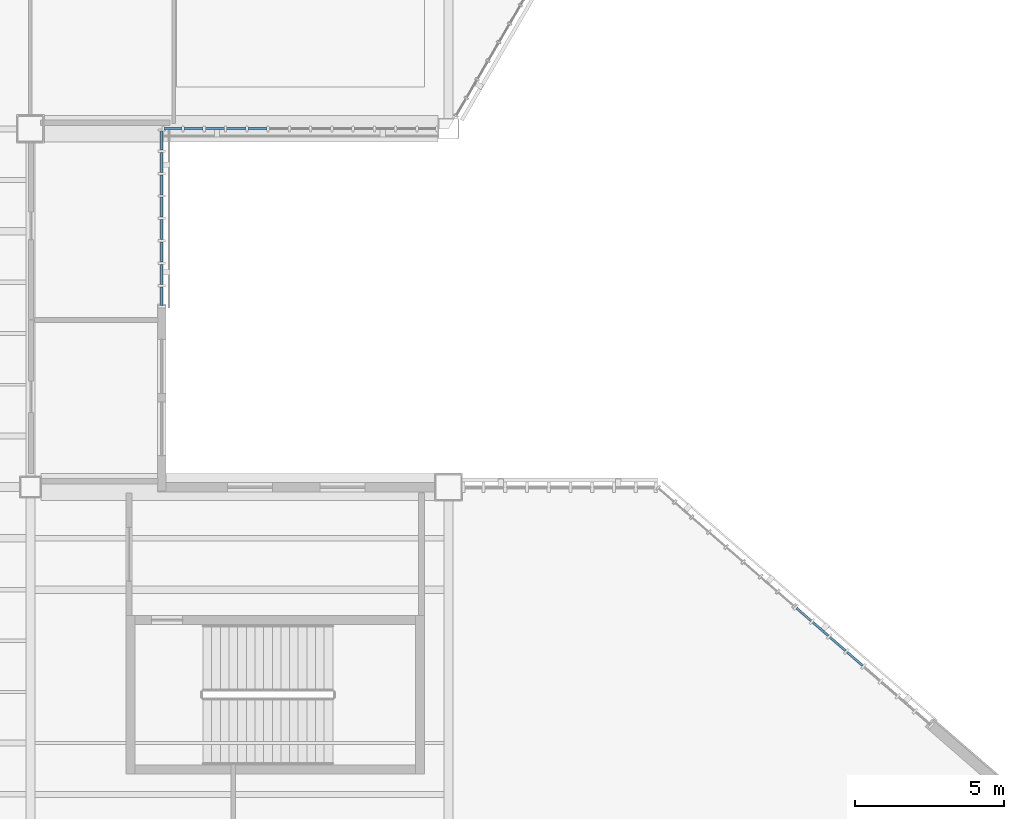
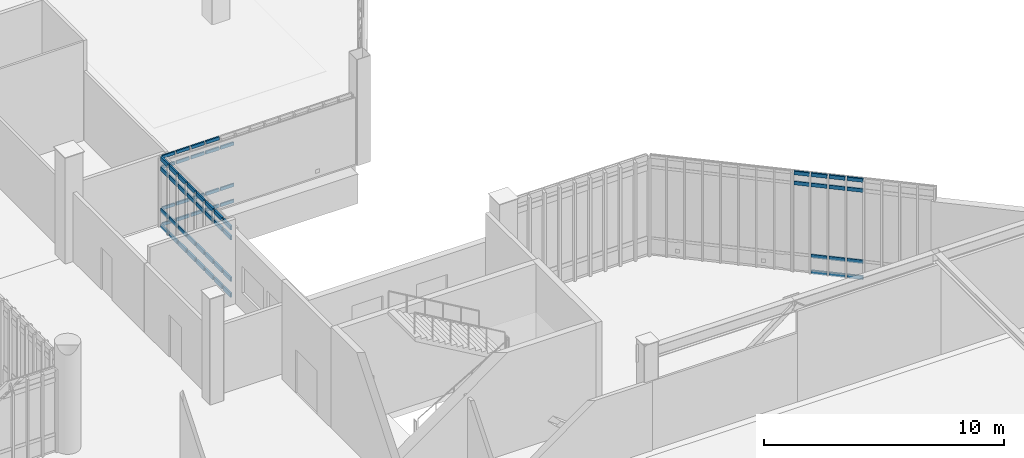
# One storey, part 65 of 135: 65 members, 3 elements without a shape of their own.
"""IFC4 building model written with IfcOpenShell, lengths in metres."""

from ifc_helpers import new_model, si_unit, direction, frame, origin, origin_2d, place, context, subcontext, project, spatial, rectangle, extrude, material, material_profile, profile_set, type_object, element, aggregate, save


model = new_model("IFC4")

# Units and contexts
model_context = context("Model", 3, precision=1e-05, world=origin(), true_north=direction((0.0, 1.0)))
body_context = subcontext(model_context, "Body", "Model", "MODEL_VIEW")
ifc_project = project(units=[si_unit("LENGTHUNIT", "METRE"), si_unit("AREAUNIT", "SQUARE_METRE"), si_unit("VOLUMEUNIT", "CUBIC_METRE"), si_unit("PLANEANGLEUNIT", "RADIAN"), si_unit("MASSUNIT", "GRAM", prefix="KILO")], contexts=[model_context])

# Site, building, storey
site_placement = place(None, origin())
site = spatial("IfcSite", under=ifc_project, at=site_placement, CompositionType="ELEMENT")
building_placement = place(site_placement, origin())
building = spatial("IfcBuilding", under=site, at=building_placement, Name="Larkvane Passage Sports Hall", CompositionType="ELEMENT")
storey_placement = place(building_placement, frame((0.0, 0.0, 16.800048828125)))
storey = spatial("IfcBuildingStorey", under=building, at=storey_placement, Name="L03", CompositionType="ELEMENT", Elevation=16.800048828125)

# Curtain wall, members
ifc_material_1 = material(Name="Thermally broken aluminium and low-E glazing", Category="aluminium")
curtain_wall_type_1 = type_object("IfcCurtainWallType", Name="CW-UNIT-VEIL", PredefinedType="USERDEFINED", material=ifc_material_1)
curtain_wall_1_placement = place(storey_placement, origin())
curtain_wall_1 = element("IfcCurtainWall", 1, at=curtain_wall_1_placement, inside=storey, type_object=curtain_wall_type_1, Name="Curtain wall CW5-L03-109", ObjectType="UNITISED CURTAIN WALL", PredefinedType="USERDEFINED")
ifc_material_2 = material(Name="Anodised aluminium 6063-T6", Category="aluminium")
ifc_material_profile_1 = material_profile(ifc_material_2, rectangle(XDim=0.070068359375, YDim=0.159912109375, at=origin_2d()), Name="ALU-TRN-70x160")
ifc_profile_set_1 = profile_set([ifc_material_profile_1], Name="Anodised aluminium 6063-T6")
member_type_1 = type_object("IfcMemberType", Name="CW-TRN-70x160", PredefinedType="USERDEFINED", material=ifc_profile_set_1)
member_1_placement = place(storey_placement, frame((139.524169921875, 63.60009765625, 0.034912109375), z_axis=(-1.0, 0.0, 0.0), x_axis=(0.0, -1.0, 0.0)))
member_1 = element("IfcMember", 2, at=member_1_placement, type_object=member_type_1, Name="CW-02 transom 9.1", ObjectType="TRANSOM", PredefinedType="USERDEFINED", context=body_context, shape_type="SweptSolid", body=[
    extrude(rectangle(XDim=0.070068359375, YDim=0.159912109375, at=origin_2d()), origin(), (0.0, 0.0, 1.0), 0.641845703125),
])
member_2_placement = place(storey_placement, frame((139.524169921875, 63.60009765625, 0.849853515625), z_axis=(-1.0, 0.0, 0.0), x_axis=(0.0, -1.0, 0.0)))
member_2 = element("IfcMember", 3, at=member_2_placement, type_object=member_type_1, Name="CW-02 transom 9.2", ObjectType="TRANSOM", PredefinedType="USERDEFINED", context=body_context, shape_type="SweptSolid", body=[
    extrude(rectangle(XDim=0.070068359375, YDim=0.159912109375, at=origin_2d()), origin(), (0.0, 0.0, 1.0), 0.641845703125),
])
member_3_placement = place(storey_placement, frame((139.524169921875, 63.60009765625, 2.9580078125), z_axis=(-1.0, 0.0, 0.0), x_axis=(0.0, -1.0, 0.0)))
member_3 = element("IfcMember", 4, at=member_3_placement, type_object=member_type_1, Name="CW-02 transom 9.3", ObjectType="TRANSOM", PredefinedType="USERDEFINED", context=body_context, shape_type="SweptSolid", body=[
    extrude(rectangle(XDim=0.070068359375, YDim=0.159912109375, at=origin_2d()), origin(), (0.0, 0.0, 1.0), 0.641845703125),
])
member_4_placement = place(storey_placement, frame((138.8125, 63.60009765625, 0.034912109375), z_axis=(-1.0, 0.0, 0.0), x_axis=(0.0, -1.0, 0.0)))
member_4 = element("IfcMember", 5, at=member_4_placement, type_object=member_type_1, Name="CW-02 transom 10.1", ObjectType="TRANSOM", PredefinedType="USERDEFINED", context=body_context, shape_type="SweptSolid", body=[
    extrude(rectangle(XDim=0.070068359375, YDim=0.159912109375, at=origin_2d()), origin(), (0.0, 0.0, 1.0), 0.641845703125),
])
member_5_placement = place(storey_placement, frame((138.8125, 63.60009765625, 0.849853515625), z_axis=(-1.0, 0.0, 0.0), x_axis=(0.0, -1.0, 0.0)))
member_5 = element("IfcMember", 6, at=member_5_placement, type_object=member_type_1, Name="CW-02 transom 10.2", ObjectType="TRANSOM", PredefinedType="USERDEFINED", context=body_context, shape_type="SweptSolid", body=[
    extrude(rectangle(XDim=0.070068359375, YDim=0.159912109375, at=origin_2d()), origin(), (0.0, 0.0, 1.0), 0.641845703125),
])
member_6_placement = place(storey_placement, frame((138.8125, 63.60009765625, 2.9580078125), z_axis=(-1.0, 0.0, 0.0), x_axis=(0.0, -1.0, 0.0)))
member_6 = element("IfcMember", 7, at=member_6_placement, type_object=member_type_1, Name="CW-02 transom 10.3", ObjectType="TRANSOM", PredefinedType="USERDEFINED", context=body_context, shape_type="SweptSolid", body=[
    extrude(rectangle(XDim=0.070068359375, YDim=0.159912109375, at=origin_2d()), origin(), (0.0, 0.0, 1.0), 0.641845703125),
])
member_7_placement = place(storey_placement, frame((138.8125, 63.60009765625, 3.472900390625), z_axis=(-1.0, 0.0, 0.0), x_axis=(0.0, -1.0, 0.0)))
member_7 = element("IfcMember", 8, at=member_7_placement, type_object=member_type_1, Name="CW-02 transom 10.4", ObjectType="TRANSOM", PredefinedType="USERDEFINED", context=body_context, shape_type="SweptSolid", body=[
    extrude(rectangle(XDim=0.070068359375, YDim=0.159912109375, at=origin_2d()), origin(), (0.0, 0.0, 1.0), 0.641845703125),
])
member_8_placement = place(storey_placement, frame((138.1005859375, 63.60009765625, 0.034912109375), z_axis=(-1.0, 0.0, 0.0), x_axis=(0.0, -1.0, 0.0)))
member_8 = element("IfcMember", 9, at=member_8_placement, type_object=member_type_1, Name="CW-02 transom 11.1", ObjectType="TRANSOM", PredefinedType="USERDEFINED", context=body_context, shape_type="SweptSolid", body=[
    extrude(rectangle(XDim=0.070068359375, YDim=0.159912109375, at=origin_2d()), origin(), (0.0, 0.0, 1.0), 0.641845703125),
])
member_9_placement = place(storey_placement, frame((138.1005859375, 63.60009765625, 0.849853515625), z_axis=(-1.0, 0.0, 0.0), x_axis=(0.0, -1.0, 0.0)))
member_9 = element("IfcMember", 10, at=member_9_placement, type_object=member_type_1, Name="CW-02 transom 11.2", ObjectType="TRANSOM", PredefinedType="USERDEFINED", context=body_context, shape_type="SweptSolid", body=[
    extrude(rectangle(XDim=0.070068359375, YDim=0.159912109375, at=origin_2d()), origin(), (0.0, 0.0, 1.0), 0.641845703125),
])
member_10_placement = place(storey_placement, frame((138.1005859375, 63.60009765625, 2.9580078125), z_axis=(-1.0, 0.0, 0.0), x_axis=(0.0, -1.0, 0.0)))
member_10 = element("IfcMember", 11, at=member_10_placement, type_object=member_type_1, Name="CW-02 transom 11.3", ObjectType="TRANSOM", PredefinedType="USERDEFINED", context=body_context, shape_type="SweptSolid", body=[
    extrude(rectangle(XDim=0.070068359375, YDim=0.159912109375, at=origin_2d()), origin(), (0.0, 0.0, 1.0), 0.641845703125),
])
member_11_placement = place(storey_placement, frame((138.1005859375, 63.60009765625, 3.472900390625), z_axis=(-1.0, 0.0, 0.0), x_axis=(0.0, -1.0, 0.0)))
member_11 = element("IfcMember", 12, at=member_11_placement, type_object=member_type_1, Name="CW-02 transom 11.4", ObjectType="TRANSOM", PredefinedType="USERDEFINED", context=body_context, shape_type="SweptSolid", body=[
    extrude(rectangle(XDim=0.070068359375, YDim=0.159912109375, at=origin_2d()), origin(), (0.0, 0.0, 1.0), 0.641845703125),
])
member_12_placement = place(storey_placement, frame((137.388671875, 63.60009765625, 0.034912109375), z_axis=(-1.0, 0.0, 0.0), x_axis=(0.0, -1.0, 0.0)))
member_12 = element("IfcMember", 13, at=member_12_placement, type_object=member_type_1, Name="CW-02 transom 12.1", ObjectType="TRANSOM", PredefinedType="USERDEFINED", context=body_context, shape_type="SweptSolid", body=[
    extrude(rectangle(XDim=0.070068359375, YDim=0.159912109375, at=origin_2d()), origin(), (0.0, 0.0, 1.0), 0.641845703125),
])
member_13_placement = place(storey_placement, frame((137.388671875, 63.60009765625, 0.849853515625), z_axis=(-1.0, 0.0, 0.0), x_axis=(0.0, -1.0, 0.0)))
member_13 = element("IfcMember", 14, at=member_13_placement, type_object=member_type_1, Name="CW-02 transom 12.2", ObjectType="TRANSOM", PredefinedType="USERDEFINED", context=body_context, shape_type="SweptSolid", body=[
    extrude(rectangle(XDim=0.070068359375, YDim=0.159912109375, at=origin_2d()), origin(), (0.0, 0.0, 1.0), 0.641845703125),
])
member_14_placement = place(storey_placement, frame((137.388671875, 63.60009765625, 2.9580078125), z_axis=(-1.0, 0.0, 0.0), x_axis=(0.0, -1.0, 0.0)))
member_14 = element("IfcMember", 15, at=member_14_placement, type_object=member_type_1, Name="CW-02 transom 12.3", ObjectType="TRANSOM", PredefinedType="USERDEFINED", context=body_context, shape_type="SweptSolid", body=[
    extrude(rectangle(XDim=0.070068359375, YDim=0.159912109375, at=origin_2d()), origin(), (0.0, 0.0, 1.0), 0.641845703125),
])
member_15_placement = place(storey_placement, frame((137.388671875, 63.60009765625, 3.472900390625), z_axis=(-1.0, 0.0, 0.0), x_axis=(0.0, -1.0, 0.0)))
member_15 = element("IfcMember", 16, at=member_15_placement, type_object=member_type_1, Name="CW-02 transom 12.4", ObjectType="TRANSOM", PredefinedType="USERDEFINED", context=body_context, shape_type="SweptSolid", body=[
    extrude(rectangle(XDim=0.070068359375, YDim=0.159912109375, at=origin_2d()), origin(), (0.0, 0.0, 1.0), 0.641845703125),
])
member_16_placement = place(storey_placement, frame((136.6767578125, 63.60009765625, 0.034912109375), z_axis=(-1.0, 0.0, 0.0), x_axis=(0.0, -1.0, 0.0)))
member_16 = element("IfcMember", 17, at=member_16_placement, type_object=member_type_1, Name="CW-02 transom 13.1", ObjectType="TRANSOM", PredefinedType="USERDEFINED", context=body_context, shape_type="SweptSolid", body=[
    extrude(rectangle(XDim=0.070068359375, YDim=0.159912109375, at=origin_2d()), origin(), (0.0, 0.0, 1.0), 0.606689453125),
])
member_17_placement = place(storey_placement, frame((136.6767578125, 63.60009765625, 0.849853515625), z_axis=(-1.0, 0.0, 0.0), x_axis=(0.0, -1.0, 0.0)))
member_17 = element("IfcMember", 18, at=member_17_placement, type_object=member_type_1, Name="CW-02 transom 13.2", ObjectType="TRANSOM", PredefinedType="USERDEFINED", context=body_context, shape_type="SweptSolid", body=[
    extrude(rectangle(XDim=0.070068359375, YDim=0.159912109375, at=origin_2d()), origin(), (0.0, 0.0, 1.0), 0.606689453125),
])
member_18_placement = place(storey_placement, frame((136.6767578125, 63.60009765625, 2.9580078125), z_axis=(-1.0, 0.0, 0.0), x_axis=(0.0, -1.0, 0.0)))
member_18 = element("IfcMember", 19, at=member_18_placement, type_object=member_type_1, Name="CW-02 transom 13.3", ObjectType="TRANSOM", PredefinedType="USERDEFINED", context=body_context, shape_type="SweptSolid", body=[
    extrude(rectangle(XDim=0.070068359375, YDim=0.159912109375, at=origin_2d()), origin(), (0.0, 0.0, 1.0), 0.606689453125),
])
member_19_placement = place(storey_placement, frame((136.6767578125, 63.60009765625, 3.472900390625), z_axis=(-1.0, 0.0, 0.0), x_axis=(0.0, -1.0, 0.0)))
member_19 = element("IfcMember", 20, at=member_19_placement, type_object=member_type_1, Name="CW-02 transom 13.4", ObjectType="TRANSOM", PredefinedType="USERDEFINED", context=body_context, shape_type="SweptSolid", body=[
    extrude(rectangle(XDim=0.070068359375, YDim=0.159912109375, at=origin_2d()), origin(), (0.0, 0.0, 1.0), 0.606689453125),
])
aggregate(curtain_wall_1, [member_1, member_2, member_3, member_4, member_5, member_6, member_7, member_8, member_9, member_10, member_11, member_12, member_13, member_14, member_15, member_16, member_17, member_18, member_19])

curtain_wall_2_placement = place(storey_placement, origin())
curtain_wall_2 = element("IfcCurtainWall", 21, at=curtain_wall_2_placement, inside=storey, type_object=curtain_wall_type_1, Name="Curtain wall CW5-L03-113", ObjectType="UNITISED CURTAIN WALL", PredefinedType="USERDEFINED")
ifc_material_profile_2 = material_profile(ifc_material_2, rectangle(XDim=0.074951171875, YDim=0.18505859375, at=origin_2d()), Name="ALU-TRN-75x185")
ifc_profile_set_2 = profile_set([ifc_material_profile_2], Name="Anodised aluminium 6063-T6")
member_type_2 = type_object("IfcMemberType", Name="CW-TRN-75x185", PredefinedType="USERDEFINED", material=ifc_profile_set_2)
member_20_placement = place(storey_placement, frame((157.256591796875, 47.55078125, 4.47998046875), z_axis=(0.754459831752, -0.656346221345, 0.0), x_axis=(0.656346221345, 0.754459831752, 0.0)))
member_20 = element("IfcMember", 22, at=member_20_placement, type_object=member_type_2, Name="CW-02 transom 1.3", ObjectType="TRANSOM", PredefinedType="USERDEFINED", context=body_context, shape_type="SweptSolid", body=[
    extrude(rectangle(XDim=0.074951171875, YDim=0.18505859375, at=origin_2d()), origin(), (0.0, 0.0, 1.0), 0.6494140625),
])
member_21_placement = place(storey_placement, frame((157.256591796875, 47.55078125, 4.992431640625), z_axis=(0.754459831752, -0.656346221345, 0.0), x_axis=(0.656346221345, 0.754459831752, 0.0)))
member_21 = element("IfcMember", 23, at=member_21_placement, type_object=member_type_2, Name="CW-02 transom 1.4", ObjectType="TRANSOM", PredefinedType="USERDEFINED", context=body_context, shape_type="SweptSolid", body=[
    extrude(rectangle(XDim=0.074951171875, YDim=0.18505859375, at=origin_2d()), origin(), (0.0, 0.0, 1.0), 0.6494140625),
])
member_22_placement = place(storey_placement, frame((157.80322265625, 47.075439453125, 0.037353515625), z_axis=(0.754597873629, -0.656187510636, 0.0), x_axis=(0.656187510636, 0.754597873629, 0.0)))
member_22 = element("IfcMember", 24, at=member_22_placement, type_object=member_type_2, Name="CW-02 transom 2.1", ObjectType="TRANSOM", PredefinedType="USERDEFINED", context=body_context, shape_type="SweptSolid", body=[
    extrude(rectangle(XDim=0.074951171875, YDim=0.18505859375, at=origin_2d()), origin(), (0.0, 0.0, 1.0), 0.687255859375),
])
member_23_placement = place(storey_placement, frame((157.80322265625, 47.075439453125, 0.849853515625), z_axis=(0.754597873629, -0.656187510636, 0.0), x_axis=(0.656187510636, 0.754597873629, 0.0)))
member_23 = element("IfcMember", 25, at=member_23_placement, type_object=member_type_2, Name="CW-02 transom 2.2", ObjectType="TRANSOM", PredefinedType="USERDEFINED", context=body_context, shape_type="SweptSolid", body=[
    extrude(rectangle(XDim=0.074951171875, YDim=0.18505859375, at=origin_2d()), origin(), (0.0, 0.0, 1.0), 0.687255859375),
])
member_24_placement = place(storey_placement, frame((157.80322265625, 47.075439453125, 4.47998046875), z_axis=(0.754597873629, -0.656187510636, 0.0), x_axis=(0.656187510636, 0.754597873629, 0.0)))
member_24 = element("IfcMember", 26, at=member_24_placement, type_object=member_type_2, Name="CW-02 transom 2.3", ObjectType="TRANSOM", PredefinedType="USERDEFINED", context=body_context, shape_type="SweptSolid", body=[
    extrude(rectangle(XDim=0.074951171875, YDim=0.18505859375, at=origin_2d()), origin(), (0.0, 0.0, 1.0), 0.687255859375),
])
member_25_placement = place(storey_placement, frame((157.80322265625, 47.075439453125, 4.992431640625), z_axis=(0.754597873629, -0.656187510636, 0.0), x_axis=(0.656187510636, 0.754597873629, 0.0)))
member_25 = element("IfcMember", 27, at=member_25_placement, type_object=member_type_2, Name="CW-02 transom 2.4", ObjectType="TRANSOM", PredefinedType="USERDEFINED", context=body_context, shape_type="SweptSolid", body=[
    extrude(rectangle(XDim=0.074951171875, YDim=0.18505859375, at=origin_2d()), origin(), (0.0, 0.0, 1.0), 0.687255859375),
])
member_26_placement = place(storey_placement, frame((158.37841796875, 46.575439453125, 0.037353515625), z_axis=(0.75444483832, -0.656363455665, 0.0), x_axis=(0.656363455665, 0.75444483832, 0.0)))
member_26 = element("IfcMember", 28, at=member_26_placement, type_object=member_type_2, Name="CW-02 transom 3.1", ObjectType="TRANSOM", PredefinedType="USERDEFINED", context=body_context, shape_type="SweptSolid", body=[
    extrude(rectangle(XDim=0.074951171875, YDim=0.18505859375, at=origin_2d()), origin(), (0.0, 0.0, 1.0), 0.68701171875),
])
member_27_placement = place(storey_placement, frame((158.37841796875, 46.575439453125, 0.849853515625), z_axis=(0.75444483832, -0.656363455665, 0.0), x_axis=(0.656363455665, 0.75444483832, 0.0)))
member_27 = element("IfcMember", 29, at=member_27_placement, type_object=member_type_2, Name="CW-02 transom 3.2", ObjectType="TRANSOM", PredefinedType="USERDEFINED", context=body_context, shape_type="SweptSolid", body=[
    extrude(rectangle(XDim=0.074951171875, YDim=0.18505859375, at=origin_2d()), origin(), (0.0, 0.0, 1.0), 0.68701171875),
])
member_28_placement = place(storey_placement, frame((158.37841796875, 46.575439453125, 4.47998046875), z_axis=(0.75444483832, -0.656363455665, 0.0), x_axis=(0.656363455665, 0.75444483832, 0.0)))
member_28 = element("IfcMember", 30, at=member_28_placement, type_object=member_type_2, Name="CW-02 transom 3.3", ObjectType="TRANSOM", PredefinedType="USERDEFINED", context=body_context, shape_type="SweptSolid", body=[
    extrude(rectangle(XDim=0.074951171875, YDim=0.18505859375, at=origin_2d()), origin(), (0.0, 0.0, 1.0), 0.68701171875),
])
member_29_placement = place(storey_placement, frame((158.37841796875, 46.575439453125, 4.992431640625), z_axis=(0.75444483832, -0.656363455665, 0.0), x_axis=(0.656363455665, 0.75444483832, 0.0)))
member_29 = element("IfcMember", 31, at=member_29_placement, type_object=member_type_2, Name="CW-02 transom 3.4", ObjectType="TRANSOM", PredefinedType="USERDEFINED", context=body_context, shape_type="SweptSolid", body=[
    extrude(rectangle(XDim=0.074951171875, YDim=0.18505859375, at=origin_2d()), origin(), (0.0, 0.0, 1.0), 0.68701171875),
])
member_30_placement = place(storey_placement, frame((158.953369140625, 46.075439453125, 0.037353515625), z_axis=(0.75444483832, -0.656363455665, 0.0), x_axis=(0.656363455665, 0.75444483832, 0.0)))
member_30 = element("IfcMember", 32, at=member_30_placement, type_object=member_type_2, Name="CW-02 transom 4.1", ObjectType="TRANSOM", PredefinedType="USERDEFINED", context=body_context, shape_type="SweptSolid", body=[
    extrude(rectangle(XDim=0.074951171875, YDim=0.18505859375, at=origin_2d()), origin(), (0.0, 0.0, 1.0), 0.68701171875),
])
member_31_placement = place(storey_placement, frame((158.953369140625, 46.075439453125, 0.849853515625), z_axis=(0.75444483832, -0.656363455665, 0.0), x_axis=(0.656363455665, 0.75444483832, 0.0)))
member_31 = element("IfcMember", 33, at=member_31_placement, type_object=member_type_2, Name="CW-02 transom 4.2", ObjectType="TRANSOM", PredefinedType="USERDEFINED", context=body_context, shape_type="SweptSolid", body=[
    extrude(rectangle(XDim=0.074951171875, YDim=0.18505859375, at=origin_2d()), origin(), (0.0, 0.0, 1.0), 0.68701171875),
])
member_32_placement = place(storey_placement, frame((158.953369140625, 46.075439453125, 4.47998046875), z_axis=(0.75444483832, -0.656363455665, 0.0), x_axis=(0.656363455665, 0.75444483832, 0.0)))
member_32 = element("IfcMember", 34, at=member_32_placement, type_object=member_type_2, Name="CW-02 transom 4.3", ObjectType="TRANSOM", PredefinedType="USERDEFINED", context=body_context, shape_type="SweptSolid", body=[
    extrude(rectangle(XDim=0.074951171875, YDim=0.18505859375, at=origin_2d()), origin(), (0.0, 0.0, 1.0), 0.68701171875),
])
member_33_placement = place(storey_placement, frame((158.953369140625, 46.075439453125, 4.992431640625), z_axis=(0.75444483832, -0.656363455665, 0.0), x_axis=(0.656363455665, 0.75444483832, 0.0)))
member_33 = element("IfcMember", 35, at=member_33_placement, type_object=member_type_2, Name="CW-02 transom 4.4", ObjectType="TRANSOM", PredefinedType="USERDEFINED", context=body_context, shape_type="SweptSolid", body=[
    extrude(rectangle(XDim=0.074951171875, YDim=0.18505859375, at=origin_2d()), origin(), (0.0, 0.0, 1.0), 0.68701171875),
])
aggregate(curtain_wall_2, [member_20, member_21, member_22, member_23, member_24, member_25, member_26, member_27, member_28, member_29, member_30, member_31, member_32, member_33])

curtain_wall_type_2 = type_object("IfcCurtainWallType", Name="CW-STICK-FOYER", PredefinedType="USERDEFINED", material=ifc_material_1)
curtain_wall_3_placement = place(storey_placement, origin())
curtain_wall_3 = element("IfcCurtainWall", 36, at=curtain_wall_3_placement, inside=storey, type_object=curtain_wall_type_2, Name="Curtain wall CW5-L03-110", ObjectType="STICK CURTAIN WALL", PredefinedType="USERDEFINED")
ifc_material_profile_3 = material_profile(ifc_material_2, rectangle(XDim=0.080078125, YDim=0.2099609375, at=origin_2d()), Name="ALU-TRN-80x210")
ifc_profile_set_3 = profile_set([ifc_material_profile_3], Name="Anodised aluminium 6063-T6")
member_type_3 = type_object("IfcMemberType", Name="CW-TRN-80x210", PredefinedType="USERDEFINED", material=ifc_profile_set_3)
member_34_placement = place(storey_placement, frame((136.0, 63.52001953125, 0.0400390625), z_axis=(0.0, -1.0, 0.0), x_axis=(1.0, 0.0, 0.0)))
member_34 = element("IfcMember", 37, at=member_34_placement, type_object=member_type_3, Name="CW-03 transom 1.1", ObjectType="TRANSOM", PredefinedType="USERDEFINED", context=body_context, shape_type="SweptSolid", body=[
    extrude(rectangle(XDim=0.080078125, YDim=0.2099609375, at=origin_2d()), origin(), (0.0, 0.0, 1.0), 0.630126953125),
])
member_35_placement = place(storey_placement, frame((136.0, 63.52001953125, 0.849853515625), z_axis=(0.0, -1.0, 0.0), x_axis=(1.0, 0.0, 0.0)))
member_35 = element("IfcMember", 38, at=member_35_placement, type_object=member_type_3, Name="CW-03 transom 1.2", ObjectType="TRANSOM", PredefinedType="USERDEFINED", context=body_context, shape_type="SweptSolid", body=[
    extrude(rectangle(XDim=0.080078125, YDim=0.2099609375, at=origin_2d()), origin(), (0.0, 0.0, 1.0), 0.630126953125),
])
member_36_placement = place(storey_placement, frame((136.0, 63.52001953125, 2.9580078125), z_axis=(0.0, -1.0, 0.0), x_axis=(1.0, 0.0, 0.0)))
member_36 = element("IfcMember", 39, at=member_36_placement, type_object=member_type_3, Name="CW-03 transom 1.3", ObjectType="TRANSOM", PredefinedType="USERDEFINED", context=body_context, shape_type="SweptSolid", body=[
    extrude(rectangle(XDim=0.080078125, YDim=0.2099609375, at=origin_2d()), origin(), (0.0, 0.0, 1.0), 0.630126953125),
])
member_37_placement = place(storey_placement, frame((136.0, 63.52001953125, 3.468017578125), z_axis=(0.0, -1.0, 0.0), x_axis=(1.0, 0.0, 0.0)))
member_37 = element("IfcMember", 40, at=member_37_placement, type_object=member_type_3, Name="CW-03 transom 1.4", ObjectType="TRANSOM", PredefinedType="USERDEFINED", context=body_context, shape_type="SweptSolid", body=[
    extrude(rectangle(XDim=0.080078125, YDim=0.2099609375, at=origin_2d()), origin(), (0.0, 0.0, 1.0), 0.630126953125),
])
member_38_placement = place(storey_placement, frame((136.0, 62.81005859375, 0.0400390625), z_axis=(0.0, -1.0, 0.0), x_axis=(1.0, 0.0, 0.0)))
member_38 = element("IfcMember", 41, at=member_38_placement, type_object=member_type_3, Name="CW-03 transom 2.1", ObjectType="TRANSOM", PredefinedType="USERDEFINED", context=body_context, shape_type="SweptSolid", body=[
    extrude(rectangle(XDim=0.080078125, YDim=0.2099609375, at=origin_2d()), origin(), (0.0, 0.0, 1.0), 0.670166015625),
])
member_39_placement = place(storey_placement, frame((136.0, 62.81005859375, 0.849853515625), z_axis=(0.0, -1.0, 0.0), x_axis=(1.0, 0.0, 0.0)))
member_39 = element("IfcMember", 42, at=member_39_placement, type_object=member_type_3, Name="CW-03 transom 2.2", ObjectType="TRANSOM", PredefinedType="USERDEFINED", context=body_context, shape_type="SweptSolid", body=[
    extrude(rectangle(XDim=0.080078125, YDim=0.2099609375, at=origin_2d()), origin(), (0.0, 0.0, 1.0), 0.670166015625),
])
member_40_placement = place(storey_placement, frame((136.0, 62.81005859375, 2.9580078125), z_axis=(0.0, -1.0, 0.0), x_axis=(1.0, 0.0, 0.0)))
member_40 = element("IfcMember", 43, at=member_40_placement, type_object=member_type_3, Name="CW-03 transom 2.3", ObjectType="TRANSOM", PredefinedType="USERDEFINED", context=body_context, shape_type="SweptSolid", body=[
    extrude(rectangle(XDim=0.080078125, YDim=0.2099609375, at=origin_2d()), origin(), (0.0, 0.0, 1.0), 0.670166015625),
])
member_41_placement = place(storey_placement, frame((136.0, 62.81005859375, 3.468017578125), z_axis=(0.0, -1.0, 0.0), x_axis=(1.0, 0.0, 0.0)))
member_41 = element("IfcMember", 44, at=member_41_placement, type_object=member_type_3, Name="CW-03 transom 2.4", ObjectType="TRANSOM", PredefinedType="USERDEFINED", context=body_context, shape_type="SweptSolid", body=[
    extrude(rectangle(XDim=0.080078125, YDim=0.2099609375, at=origin_2d()), origin(), (0.0, 0.0, 1.0), 0.670166015625),
])
member_42_placement = place(storey_placement, frame((136.0, 62.06005859375, 0.0400390625), z_axis=(0.0, -1.0, 0.0), x_axis=(1.0, 0.0, 0.0)))
member_42 = element("IfcMember", 45, at=member_42_placement, type_object=member_type_3, Name="CW-03 transom 3.1", ObjectType="TRANSOM", PredefinedType="USERDEFINED", context=body_context, shape_type="SweptSolid", body=[
    extrude(rectangle(XDim=0.080078125, YDim=0.2099609375, at=origin_2d()), origin(), (0.0, 0.0, 1.0), 0.670166015625),
])
member_43_placement = place(storey_placement, frame((136.0, 62.06005859375, 0.849853515625), z_axis=(0.0, -1.0, 0.0), x_axis=(1.0, 0.0, 0.0)))
member_43 = element("IfcMember", 46, at=member_43_placement, type_object=member_type_3, Name="CW-03 transom 3.2", ObjectType="TRANSOM", PredefinedType="USERDEFINED", context=body_context, shape_type="SweptSolid", body=[
    extrude(rectangle(XDim=0.080078125, YDim=0.2099609375, at=origin_2d()), origin(), (0.0, 0.0, 1.0), 0.670166015625),
])
member_44_placement = place(storey_placement, frame((136.0, 62.06005859375, 2.9580078125), z_axis=(0.0, -1.0, 0.0), x_axis=(1.0, 0.0, 0.0)))
member_44 = element("IfcMember", 47, at=member_44_placement, type_object=member_type_3, Name="CW-03 transom 3.3", ObjectType="TRANSOM", PredefinedType="USERDEFINED", context=body_context, shape_type="SweptSolid", body=[
    extrude(rectangle(XDim=0.080078125, YDim=0.2099609375, at=origin_2d()), origin(), (0.0, 0.0, 1.0), 0.670166015625),
])
member_45_placement = place(storey_placement, frame((136.0, 62.06005859375, 3.468017578125), z_axis=(0.0, -1.0, 0.0), x_axis=(1.0, 0.0, 0.0)))
member_45 = element("IfcMember", 48, at=member_45_placement, type_object=member_type_3, Name="CW-03 transom 3.4", ObjectType="TRANSOM", PredefinedType="USERDEFINED", context=body_context, shape_type="SweptSolid", body=[
    extrude(rectangle(XDim=0.080078125, YDim=0.2099609375, at=origin_2d()), origin(), (0.0, 0.0, 1.0), 0.670166015625),
])
member_46_placement = place(storey_placement, frame((136.0, 61.31005859375, 0.0400390625), z_axis=(0.0, -1.0, 0.0), x_axis=(1.0, 0.0, 0.0)))
member_46 = element("IfcMember", 49, at=member_46_placement, type_object=member_type_3, Name="CW-03 transom 4.1", ObjectType="TRANSOM", PredefinedType="USERDEFINED", context=body_context, shape_type="SweptSolid", body=[
    extrude(rectangle(XDim=0.080078125, YDim=0.2099609375, at=origin_2d()), origin(), (0.0, 0.0, 1.0), 0.670166015625),
])
member_47_placement = place(storey_placement, frame((136.0, 61.31005859375, 0.849853515625), z_axis=(0.0, -1.0, 0.0), x_axis=(1.0, 0.0, 0.0)))
member_47 = element("IfcMember", 50, at=member_47_placement, type_object=member_type_3, Name="CW-03 transom 4.2", ObjectType="TRANSOM", PredefinedType="USERDEFINED", context=body_context, shape_type="SweptSolid", body=[
    extrude(rectangle(XDim=0.080078125, YDim=0.2099609375, at=origin_2d()), origin(), (0.0, 0.0, 1.0), 0.670166015625),
])
member_48_placement = place(storey_placement, frame((136.0, 61.31005859375, 2.9580078125), z_axis=(0.0, -1.0, 0.0), x_axis=(1.0, 0.0, 0.0)))
member_48 = element("IfcMember", 51, at=member_48_placement, type_object=member_type_3, Name="CW-03 transom 4.3", ObjectType="TRANSOM", PredefinedType="USERDEFINED", context=body_context, shape_type="SweptSolid", body=[
    extrude(rectangle(XDim=0.080078125, YDim=0.2099609375, at=origin_2d()), origin(), (0.0, 0.0, 1.0), 0.670166015625),
])
member_49_placement = place(storey_placement, frame((136.0, 61.31005859375, 3.468017578125), z_axis=(0.0, -1.0, 0.0), x_axis=(1.0, 0.0, 0.0)))
member_49 = element("IfcMember", 52, at=member_49_placement, type_object=member_type_3, Name="CW-03 transom 4.4", ObjectType="TRANSOM", PredefinedType="USERDEFINED", context=body_context, shape_type="SweptSolid", body=[
    extrude(rectangle(XDim=0.080078125, YDim=0.2099609375, at=origin_2d()), origin(), (0.0, 0.0, 1.0), 0.670166015625),
])
member_50_placement = place(storey_placement, frame((136.0, 60.56005859375, 0.0400390625), z_axis=(0.0, -1.0, 0.0), x_axis=(1.0, 0.0, 0.0)))
member_50 = element("IfcMember", 53, at=member_50_placement, type_object=member_type_3, Name="CW-03 transom 5.1", ObjectType="TRANSOM", PredefinedType="USERDEFINED", context=body_context, shape_type="SweptSolid", body=[
    extrude(rectangle(XDim=0.080078125, YDim=0.2099609375, at=origin_2d()), origin(), (0.0, 0.0, 1.0), 0.670166015625),
])
member_51_placement = place(storey_placement, frame((136.0, 60.56005859375, 0.849853515625), z_axis=(0.0, -1.0, 0.0), x_axis=(1.0, 0.0, 0.0)))
member_51 = element("IfcMember", 54, at=member_51_placement, type_object=member_type_3, Name="CW-03 transom 5.2", ObjectType="TRANSOM", PredefinedType="USERDEFINED", context=body_context, shape_type="SweptSolid", body=[
    extrude(rectangle(XDim=0.080078125, YDim=0.2099609375, at=origin_2d()), origin(), (0.0, 0.0, 1.0), 0.670166015625),
])
member_52_placement = place(storey_placement, frame((136.0, 60.56005859375, 2.9580078125), z_axis=(0.0, -1.0, 0.0), x_axis=(1.0, 0.0, 0.0)))
member_52 = element("IfcMember", 55, at=member_52_placement, type_object=member_type_3, Name="CW-03 transom 5.3", ObjectType="TRANSOM", PredefinedType="USERDEFINED", context=body_context, shape_type="SweptSolid", body=[
    extrude(rectangle(XDim=0.080078125, YDim=0.2099609375, at=origin_2d()), origin(), (0.0, 0.0, 1.0), 0.670166015625),
])
member_53_placement = place(storey_placement, frame((136.0, 60.56005859375, 3.468017578125), z_axis=(0.0, -1.0, 0.0), x_axis=(1.0, 0.0, 0.0)))
member_53 = element("IfcMember", 56, at=member_53_placement, type_object=member_type_3, Name="CW-03 transom 5.4", ObjectType="TRANSOM", PredefinedType="USERDEFINED", context=body_context, shape_type="SweptSolid", body=[
    extrude(rectangle(XDim=0.080078125, YDim=0.2099609375, at=origin_2d()), origin(), (0.0, 0.0, 1.0), 0.670166015625),
])
member_54_placement = place(storey_placement, frame((136.0, 59.81005859375, 0.0400390625), z_axis=(0.0, -1.0, 0.0), x_axis=(1.0, 0.0, 0.0)))
member_54 = element("IfcMember", 57, at=member_54_placement, type_object=member_type_3, Name="CW-03 transom 6.1", ObjectType="TRANSOM", PredefinedType="USERDEFINED", context=body_context, shape_type="SweptSolid", body=[
    extrude(rectangle(XDim=0.080078125, YDim=0.2099609375, at=origin_2d()), origin(), (0.0, 0.0, 1.0), 0.670166015625),
])
member_55_placement = place(storey_placement, frame((136.0, 59.81005859375, 0.849853515625), z_axis=(0.0, -1.0, 0.0), x_axis=(1.0, 0.0, 0.0)))
member_55 = element("IfcMember", 58, at=member_55_placement, type_object=member_type_3, Name="CW-03 transom 6.2", ObjectType="TRANSOM", PredefinedType="USERDEFINED", context=body_context, shape_type="SweptSolid", body=[
    extrude(rectangle(XDim=0.080078125, YDim=0.2099609375, at=origin_2d()), origin(), (0.0, 0.0, 1.0), 0.670166015625),
])
member_56_placement = place(storey_placement, frame((136.0, 59.81005859375, 2.9580078125), z_axis=(0.0, -1.0, 0.0), x_axis=(1.0, 0.0, 0.0)))
member_56 = element("IfcMember", 59, at=member_56_placement, type_object=member_type_3, Name="CW-03 transom 6.3", ObjectType="TRANSOM", PredefinedType="USERDEFINED", context=body_context, shape_type="SweptSolid", body=[
    extrude(rectangle(XDim=0.080078125, YDim=0.2099609375, at=origin_2d()), origin(), (0.0, 0.0, 1.0), 0.670166015625),
])
member_57_placement = place(storey_placement, frame((136.0, 59.81005859375, 3.468017578125), z_axis=(0.0, -1.0, 0.0), x_axis=(1.0, 0.0, 0.0)))
member_57 = element("IfcMember", 60, at=member_57_placement, type_object=member_type_3, Name="CW-03 transom 6.4", ObjectType="TRANSOM", PredefinedType="USERDEFINED", context=body_context, shape_type="SweptSolid", body=[
    extrude(rectangle(XDim=0.080078125, YDim=0.2099609375, at=origin_2d()), origin(), (0.0, 0.0, 1.0), 0.670166015625),
])
member_58_placement = place(storey_placement, frame((136.0, 59.06005859375, 0.0400390625), z_axis=(0.0, -1.0, 0.0), x_axis=(1.0, 0.0, 0.0)))
member_58 = element("IfcMember", 61, at=member_58_placement, type_object=member_type_3, Name="CW-03 transom 7.1", ObjectType="TRANSOM", PredefinedType="USERDEFINED", context=body_context, shape_type="SweptSolid", body=[
    extrude(rectangle(XDim=0.080078125, YDim=0.2099609375, at=origin_2d()), origin(), (0.0, 0.0, 1.0), 0.670166015625),
])
member_59_placement = place(storey_placement, frame((136.0, 59.06005859375, 0.849853515625), z_axis=(0.0, -1.0, 0.0), x_axis=(1.0, 0.0, 0.0)))
member_59 = element("IfcMember", 62, at=member_59_placement, type_object=member_type_3, Name="CW-03 transom 7.2", ObjectType="TRANSOM", PredefinedType="USERDEFINED", context=body_context, shape_type="SweptSolid", body=[
    extrude(rectangle(XDim=0.080078125, YDim=0.2099609375, at=origin_2d()), origin(), (0.0, 0.0, 1.0), 0.670166015625),
])
member_60_placement = place(storey_placement, frame((136.0, 59.06005859375, 2.9580078125), z_axis=(0.0, -1.0, 0.0), x_axis=(1.0, 0.0, 0.0)))
member_60 = element("IfcMember", 63, at=member_60_placement, type_object=member_type_3, Name="CW-03 transom 7.3", ObjectType="TRANSOM", PredefinedType="USERDEFINED", context=body_context, shape_type="SweptSolid", body=[
    extrude(rectangle(XDim=0.080078125, YDim=0.2099609375, at=origin_2d()), origin(), (0.0, 0.0, 1.0), 0.670166015625),
])
member_61_placement = place(storey_placement, frame((136.0, 59.06005859375, 3.468017578125), z_axis=(0.0, -1.0, 0.0), x_axis=(1.0, 0.0, 0.0)))
member_61 = element("IfcMember", 64, at=member_61_placement, type_object=member_type_3, Name="CW-03 transom 7.4", ObjectType="TRANSOM", PredefinedType="USERDEFINED", context=body_context, shape_type="SweptSolid", body=[
    extrude(rectangle(XDim=0.080078125, YDim=0.2099609375, at=origin_2d()), origin(), (0.0, 0.0, 1.0), 0.670166015625),
])
member_62_placement = place(storey_placement, frame((136.0, 58.31005859375, 0.0400390625), z_axis=(0.0, -1.0, 0.0), x_axis=(1.0, 0.0, 0.0)))
member_62 = element("IfcMember", 65, at=member_62_placement, type_object=member_type_3, Name="CW-03 transom 8.1", ObjectType="TRANSOM", PredefinedType="USERDEFINED", context=body_context, shape_type="SweptSolid", body=[
    extrude(rectangle(XDim=0.080078125, YDim=0.2099609375, at=origin_2d()), origin(), (0.0, 0.0, 1.0), 0.630126953125),
])
member_63_placement = place(storey_placement, frame((136.0, 58.31005859375, 0.849853515625), z_axis=(0.0, -1.0, 0.0), x_axis=(1.0, 0.0, 0.0)))
member_63 = element("IfcMember", 66, at=member_63_placement, type_object=member_type_3, Name="CW-03 transom 8.2", ObjectType="TRANSOM", PredefinedType="USERDEFINED", context=body_context, shape_type="SweptSolid", body=[
    extrude(rectangle(XDim=0.080078125, YDim=0.2099609375, at=origin_2d()), origin(), (0.0, 0.0, 1.0), 0.630126953125),
])
member_64_placement = place(storey_placement, frame((136.0, 58.31005859375, 2.9580078125), z_axis=(0.0, -1.0, 0.0), x_axis=(1.0, 0.0, 0.0)))
member_64 = element("IfcMember", 67, at=member_64_placement, type_object=member_type_3, Name="CW-03 transom 8.3", ObjectType="TRANSOM", PredefinedType="USERDEFINED", context=body_context, shape_type="SweptSolid", body=[
    extrude(rectangle(XDim=0.080078125, YDim=0.2099609375, at=origin_2d()), origin(), (0.0, 0.0, 1.0), 0.630126953125),
])
member_65_placement = place(storey_placement, frame((136.0, 58.31005859375, 3.468017578125), z_axis=(0.0, -1.0, 0.0), x_axis=(1.0, 0.0, 0.0)))
member_65 = element("IfcMember", 68, at=member_65_placement, type_object=member_type_3, Name="CW-03 transom 8.4", ObjectType="TRANSOM", PredefinedType="USERDEFINED", context=body_context, shape_type="SweptSolid", body=[
    extrude(rectangle(XDim=0.080078125, YDim=0.2099609375, at=origin_2d()), origin(), (0.0, 0.0, 1.0), 0.630126953125),
])
aggregate(curtain_wall_3, [member_34, member_35, member_36, member_37, member_38, member_39, member_40, member_41, member_42, member_43, member_44, member_45, member_46, member_47, member_48, member_49, member_50, member_51, member_52, member_53, member_54, member_55, member_56, member_57, member_58, member_59, member_60, member_61, member_62, member_63, member_64, member_65])

save(model, "model.ifc")
